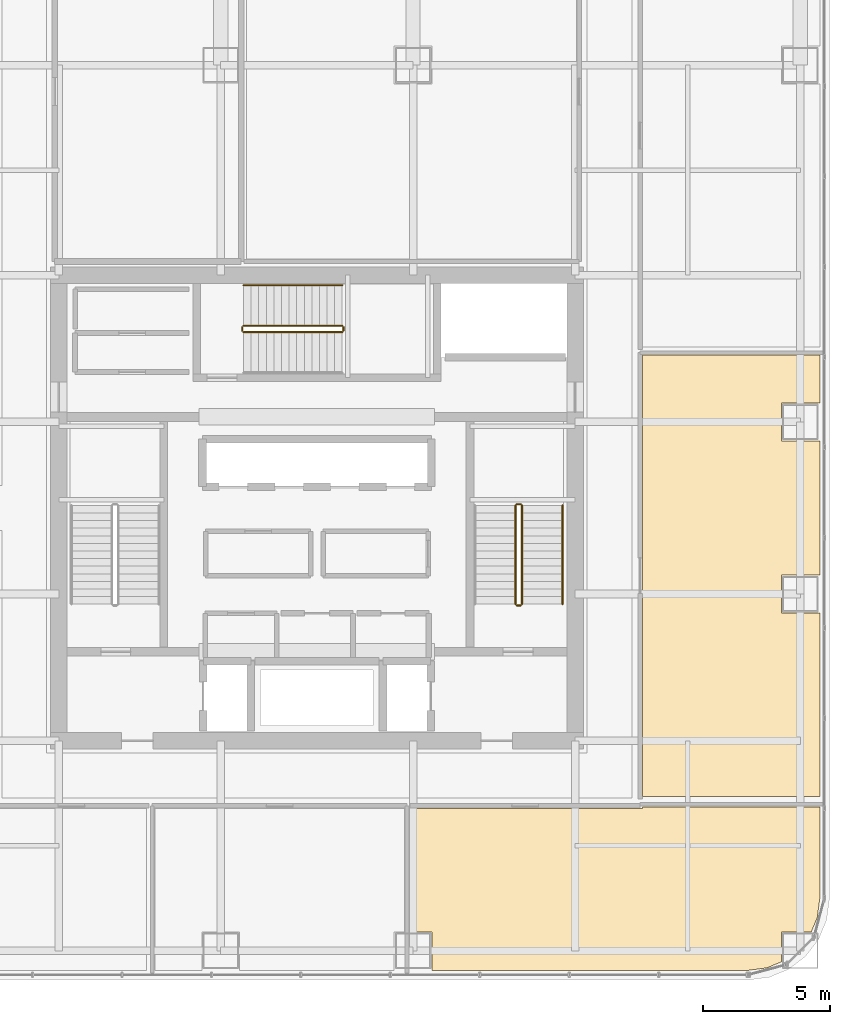
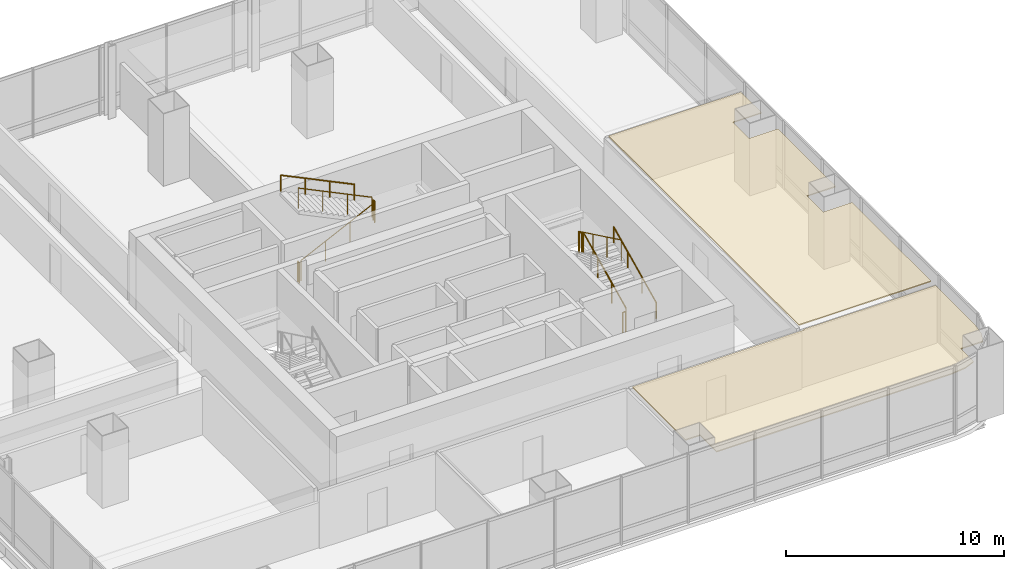
# One storey, part 36 of 37: 10 railings, 2 coverings.
"""IFC4 building model written with IfcOpenShell, lengths in metres."""

from ifc_helpers import new_model, si_unit, direction, frame, origin, origin_2d, place, context, subcontext, project, spatial, polyline, circle, outline, extrude, material, layer, layer_set, type_object, element, save


model = new_model("IFC4")

# Units and contexts
model_context = context("Model", 3, precision=1e-05, world=origin(), true_north=direction((0.0, 1.0)))
body_context = subcontext(model_context, "Body", "Model", "MODEL_VIEW")
ifc_project = project(units=[si_unit("LENGTHUNIT", "METRE"), si_unit("AREAUNIT", "SQUARE_METRE"), si_unit("VOLUMEUNIT", "CUBIC_METRE"), si_unit("PLANEANGLEUNIT", "RADIAN"), si_unit("MASSUNIT", "GRAM", prefix="KILO")], contexts=[model_context])

# Site, building, storey
site_placement = place(None, origin())
site = spatial("IfcSite", under=ifc_project, at=site_placement, CompositionType="ELEMENT")
building_placement = place(site_placement, origin())
building = spatial("IfcBuilding", under=site, at=building_placement, Name="Punatoya Terracotta Tower", CompositionType="ELEMENT")
storey_placement = place(building_placement, frame((0.0, 0.0, 164.10009765625)))
storey = spatial("IfcBuildingStorey", under=building, at=storey_placement, Name="L38", CompositionType="ELEMENT", Elevation=164.10009765625)

# Coverings
ifc_material_1 = material(Name="Acoustic Mineral Fibre Ceiling")
ifc_layer = layer(ifc_material_1, 0.06005859375)
ifc_layer_set = layer_set([ifc_layer], Name="Acoustic Mineral Fibre Ceiling")
covering_type = type_object("IfcCoveringType", Name="COV-CEIL-60", PredefinedType="CEILING", material=ifc_layer_set)
covering_1_placement = place(storey_placement, frame((0.0, 0.0, 3.219970703125)))
element("IfcCovering", 1, at=covering_1_placement, inside=storey, type_object=covering_type, Name="L38 Open-Plan Materials Testing Laboratory Acoustic Ceiling", PredefinedType="CEILING", context=body_context, shape_type="SweptSolid", body=[
    extrude(outline(polyline([(4.550048828125, -18.27001953125), (17.025146484375, -18.27001953125), (17.779052734375, -18.1708984375), (18.35009765625, -17.934326171875), (18.35009765625, -16.75), (19.5341796875, -16.75), (19.770751953125, -16.178955078125), (19.8701171875, -15.425048828125), (19.8701171875, -11.81005859375), (12.8701171875, -11.81005859375), (12.8701171875, -11.8701171875), (3.779052734375, -11.8701171875), (3.779052734375, -16.75), (4.550048828125, -16.75), (4.550048828125, -18.27001953125)])), origin(), (0.0, 0.0, 1.0), 0.059814453125),
])
covering_2_placement = place(storey_placement, frame((0.0, 0.0, 3.219970703125)))
element("IfcCovering", 2, at=covering_2_placement, inside=storey, type_object=covering_type, Name="L38 Open-Plan Technical Seminar Room Acoustic Ceiling", PredefinedType="CEILING", context=body_context, shape_type="SweptSolid", body=[
    extrude(outline(polyline([(12.8701171875, 6.0400390625), (12.8701171875, -11.389892578125), (19.8701171875, -11.389892578125), (19.8701171875, -4.14990234375), (18.35009765625, -4.14990234375), (18.35009765625, -2.64990234375), (19.8701171875, -2.64990234375), (19.8701171875, 2.64990234375), (18.35009765625, 2.64990234375), (18.35009765625, 4.14990234375), (19.8701171875, 4.14990234375), (19.8701171875, 6.0400390625), (12.8701171875, 6.0400390625)])), origin(), (0.0, 0.0, 1.0), 0.059814453125),
])

# Railings
ifc_material_2 = material(Name="Steel S355", Category="steel")
railing_type_1 = type_object("IfcRailingType", Name="RLG-GRD-1150", PredefinedType="GUARDRAIL", material=ifc_material_2)
railing_1_placement = place(storey_placement, frame((8.10009765625, -3.800048828125, 0.14453125)))
element("IfcRailing", 3, at=railing_1_placement, inside=storey, type_object=railing_type_1, Name="L38 ST-2 stair guard 1", PredefinedType="GUARDRAIL", context=body_context, shape_type="SweptSolid", body=[
    extrude(circle(Radius=0.02392578125, at=origin_2d()), frame((0.0, 0.0, 1.1259765625), z_axis=(0.0, 0.900773802044, 0.434288564841), x_axis=(-1.0, 0.0, 0.0)), (0.0, 0.0, 1.0), 4.329833984375),
    extrude(circle(Radius=0.02099609375, at=origin_2d()), origin(), (0.0, 0.0, 1.0), 1.101806640625),
    extrude(circle(Radius=0.02099609375, at=origin_2d()), frame((0.0, 1.300048828125, 0.626708984375)), (0.0, 0.0, 1.0), 1.101806640625),
    extrude(circle(Radius=0.02099609375, at=origin_2d()), frame((0.0, 2.60009765625, 1.253662109375)), (0.0, 0.0, 1.0), 1.101806640625),
    extrude(circle(Radius=0.02099609375, at=origin_2d()), frame((0.0, 3.900146484375, 1.88037109375)), (0.0, 0.0, 1.0), 1.101806640625),
])
railing_2_placement = place(storey_placement, frame((8.050048828125, 0.14990234375, 2.02490234375)))
element("IfcRailing", 4, at=railing_2_placement, inside=storey, type_object=railing_type_1, Name="L38 ST-2 stair guard 2", PredefinedType="GUARDRAIL", context=body_context, shape_type="SweptSolid", body=[
    extrude(circle(Radius=0.02392578125, at=origin_2d()), frame((0.0, 0.0, 1.1259765625), z_axis=(-1.0, 0.0, 0.0), x_axis=(0.0, -1.0, 0.0)), (0.0, 0.0, 1.0), 0.150146484375),
    extrude(circle(Radius=0.02099609375, at=origin_2d()), origin(), (0.0, 0.0, 1.0), 1.101806640625),
    extrude(circle(Radius=0.02099609375, at=origin_2d()), frame((-0.150146484375, 0.0, 0.0)), (0.0, 0.0, 1.0), 1.101806640625),
])
railing_3_placement = place(storey_placement, frame((7.85009765625, 0.10009765625, 2.16943359375)))
element("IfcRailing", 5, at=railing_3_placement, inside=storey, type_object=railing_type_1, Name="L38 ST-2 stair guard 3", PredefinedType="GUARDRAIL", context=body_context, shape_type="SweptSolid", body=[
    extrude(circle(Radius=0.02392578125, at=origin_2d()), frame((0.0, 0.0, 1.1259765625), z_axis=(0.0, -0.900773802044, 0.434288564841), x_axis=(1.0, 0.0, 0.0)), (0.0, 0.0, 1.0), 4.329833984375),
    extrude(circle(Radius=0.02099609375, at=origin_2d()), origin(), (0.0, 0.0, 1.0), 1.101806640625),
    extrude(circle(Radius=0.02099609375, at=origin_2d()), frame((0.0, -1.300048828125, 0.626708984375)), (0.0, 0.0, 1.0), 1.101806640625),
    extrude(circle(Radius=0.02099609375, at=origin_2d()), frame((0.0, -2.60009765625, 1.253662109375)), (0.0, 0.0, 1.0), 1.101806640625),
    extrude(circle(Radius=0.02099609375, at=origin_2d()), frame((0.0, -3.900146484375, 1.88037109375)), (0.0, 0.0, 1.0), 1.101806640625),
])
railing_4_placement = place(storey_placement, frame((8.050048828125, -3.85009765625, 0.0)))
element("IfcRailing", 6, at=railing_4_placement, inside=storey, type_object=railing_type_1, Name="L38 ST-2 stair guard 4", PredefinedType="GUARDRAIL", context=body_context, shape_type="SweptSolid", body=[
    extrude(circle(Radius=0.02392578125, at=origin_2d()), frame((0.0, 0.0, 1.1259765625), z_axis=(-1.0, 0.0, 0.0), x_axis=(0.0, -1.0, 0.0)), (0.0, 0.0, 1.0), 0.150146484375),
    extrude(circle(Radius=0.02099609375, at=origin_2d()), origin(), (0.0, 0.0, 1.0), 1.101806640625),
    extrude(circle(Radius=0.02099609375, at=origin_2d()), frame((-0.150146484375, 0.0, 0.0)), (0.0, 0.0, 1.0), 1.101806640625),
])
railing_5_placement = place(storey_placement, frame((-2.89990234375, 6.949951171875, 0.14453125)))
element("IfcRailing", 7, at=railing_5_placement, inside=storey, type_object=railing_type_1, Name="L38 ST-3 stair guard 1", PredefinedType="GUARDRAIL", context=body_context, shape_type="SweptSolid", body=[
    extrude(circle(Radius=0.02392578125, at=origin_2d()), frame((0.0, 0.0, 1.1259765625), z_axis=(0.900763166376, 0.0, 0.434310623978), x_axis=(0.0, 1.0, 0.0)), (0.0, 0.0, 1.0), 4.32958984375),
    extrude(circle(Radius=0.02099609375, at=origin_2d()), origin(), (0.0, 0.0, 1.0), 1.101806640625),
    extrude(circle(Radius=0.02099609375, at=origin_2d()), frame((1.300048828125, 0.0, 0.626708984375)), (0.0, 0.0, 1.0), 1.101806640625),
    extrude(circle(Radius=0.02099609375, at=origin_2d()), frame((2.599853515625, 0.0, 1.253662109375)), (0.0, 0.0, 1.0), 1.101806640625),
    extrude(circle(Radius=0.02099609375, at=origin_2d()), frame((3.89990234375, 0.0, 1.88037109375)), (0.0, 0.0, 1.0), 1.101806640625),
])
railing_6_placement = place(storey_placement, frame((1.050048828125, 7.0, 2.02490234375)))
element("IfcRailing", 8, at=railing_6_placement, inside=storey, type_object=railing_type_1, Name="L38 ST-3 stair guard 2", PredefinedType="GUARDRAIL", context=body_context, shape_type="SweptSolid", body=[
    extrude(circle(Radius=0.02392578125, at=origin_2d()), frame((0.0, 0.0, 1.1259765625), z_axis=(0.0, 1.0, 0.0), x_axis=(-1.0, 0.0, 0.0)), (0.0, 0.0, 1.0), 0.14990234375),
    extrude(circle(Radius=0.02099609375, at=origin_2d()), origin(), (0.0, 0.0, 1.0), 1.101806640625),
    extrude(circle(Radius=0.02099609375, at=origin_2d()), frame((0.0, 0.14990234375, 0.0)), (0.0, 0.0, 1.0), 1.101806640625),
])
railing_7_placement = place(storey_placement, frame((1.0, 7.199951171875, 2.16943359375)))
element("IfcRailing", 9, at=railing_7_placement, inside=storey, type_object=railing_type_1, Name="L38 ST-3 stair guard 3", PredefinedType="GUARDRAIL", context=body_context, shape_type="SweptSolid", body=[
    extrude(circle(Radius=0.02392578125, at=origin_2d()), frame((0.0, 0.0, 1.1259765625), z_axis=(-0.900763166376, 0.0, 0.434310623978), x_axis=(0.0, -1.0, 0.0)), (0.0, 0.0, 1.0), 4.32958984375),
    extrude(circle(Radius=0.02099609375, at=origin_2d()), origin(), (0.0, 0.0, 1.0), 1.101806640625),
    extrude(circle(Radius=0.02099609375, at=origin_2d()), frame((-1.300048828125, 0.0, 0.626708984375)), (0.0, 0.0, 1.0), 1.101806640625),
    extrude(circle(Radius=0.02099609375, at=origin_2d()), frame((-2.599853515625, 0.0, 1.253662109375)), (0.0, 0.0, 1.0), 1.101806640625),
    extrude(circle(Radius=0.02099609375, at=origin_2d()), frame((-3.89990234375, 0.0, 1.88037109375)), (0.0, 0.0, 1.0), 1.101806640625),
])
railing_8_placement = place(storey_placement, frame((-2.949951171875, 7.0, 0.0)))
element("IfcRailing", 10, at=railing_8_placement, inside=storey, type_object=railing_type_1, Name="L38 ST-3 stair guard 4", PredefinedType="GUARDRAIL", context=body_context, shape_type="SweptSolid", body=[
    extrude(circle(Radius=0.02392578125, at=origin_2d()), frame((0.0, 0.0, 1.1259765625), z_axis=(0.0, 1.0, 0.0), x_axis=(-1.0, 0.0, 0.0)), (0.0, 0.0, 1.0), 0.14990234375),
    extrude(circle(Radius=0.02099609375, at=origin_2d()), origin(), (0.0, 0.0, 1.0), 1.101806640625),
    extrude(circle(Radius=0.02099609375, at=origin_2d()), frame((0.0, 0.14990234375, 0.0)), (0.0, 0.0, 1.0), 1.101806640625),
])
railing_type_2 = type_object("IfcRailingType", Name="RLG-HND-900", PredefinedType="HANDRAIL", material=ifc_material_2)
railing_9_placement = place(storey_placement, frame((9.699951171875, -3.800048828125, 0.14453125)))
element("IfcRailing", 11, at=railing_9_placement, inside=storey, type_object=railing_type_2, Name="L38 ST-2 stair handrail 1", PredefinedType="HANDRAIL", context=body_context, shape_type="SweptSolid", body=[
    extrude(circle(Radius=0.02392578125, at=origin_2d()), frame((0.0, 0.0, 0.8759765625), z_axis=(0.0, 0.900773802044, 0.434288564841), x_axis=(-1.0, 0.0, 0.0)), (0.0, 0.0, 1.0), 4.329833984375),
    extrude(circle(Radius=0.02099609375, at=origin_2d()), origin(), (0.0, 0.0, 1.0), 0.851806640625),
    extrude(circle(Radius=0.02099609375, at=origin_2d()), frame((0.0, 1.300048828125, 0.626708984375)), (0.0, 0.0, 1.0), 0.851806640625),
    extrude(circle(Radius=0.02099609375, at=origin_2d()), frame((0.0, 2.60009765625, 1.253662109375)), (0.0, 0.0, 1.0), 0.851806640625),
    extrude(circle(Radius=0.02099609375, at=origin_2d()), frame((0.0, 3.900146484375, 1.88037109375)), (0.0, 0.0, 1.0), 0.851806640625),
])
railing_10_placement = place(storey_placement, frame((1.0, 8.800048828125, 2.16943359375)))
element("IfcRailing", 12, at=railing_10_placement, inside=storey, type_object=railing_type_2, Name="L38 ST-3 stair handrail 2", PredefinedType="HANDRAIL", context=body_context, shape_type="SweptSolid", body=[
    extrude(circle(Radius=0.02392578125, at=origin_2d()), frame((0.0, 0.0, 0.8759765625), z_axis=(-0.900763166376, 0.0, 0.434310623978), x_axis=(0.0, -1.0, 0.0)), (0.0, 0.0, 1.0), 4.32958984375),
    extrude(circle(Radius=0.02099609375, at=origin_2d()), origin(), (0.0, 0.0, 1.0), 0.851806640625),
    extrude(circle(Radius=0.02099609375, at=origin_2d()), frame((-1.300048828125, 0.0, 0.626708984375)), (0.0, 0.0, 1.0), 0.851806640625),
    extrude(circle(Radius=0.02099609375, at=origin_2d()), frame((-2.599853515625, 0.0, 1.253662109375)), (0.0, 0.0, 1.0), 0.851806640625),
    extrude(circle(Radius=0.02099609375, at=origin_2d()), frame((-3.89990234375, 0.0, 1.88037109375)), (0.0, 0.0, 1.0), 0.851806640625),
])

save(model, "model.ifc")
